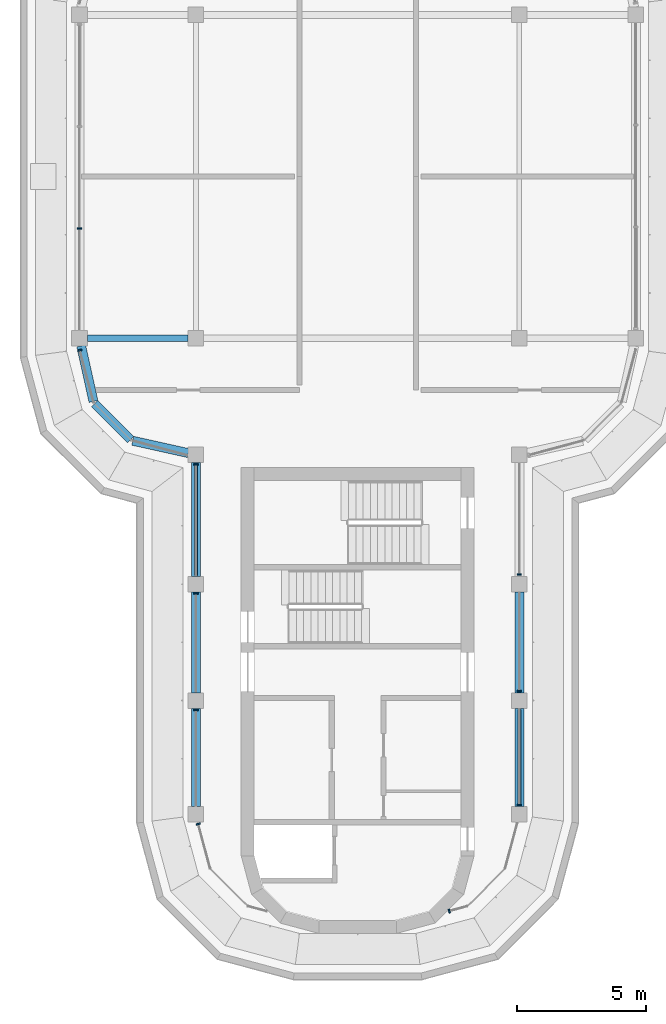
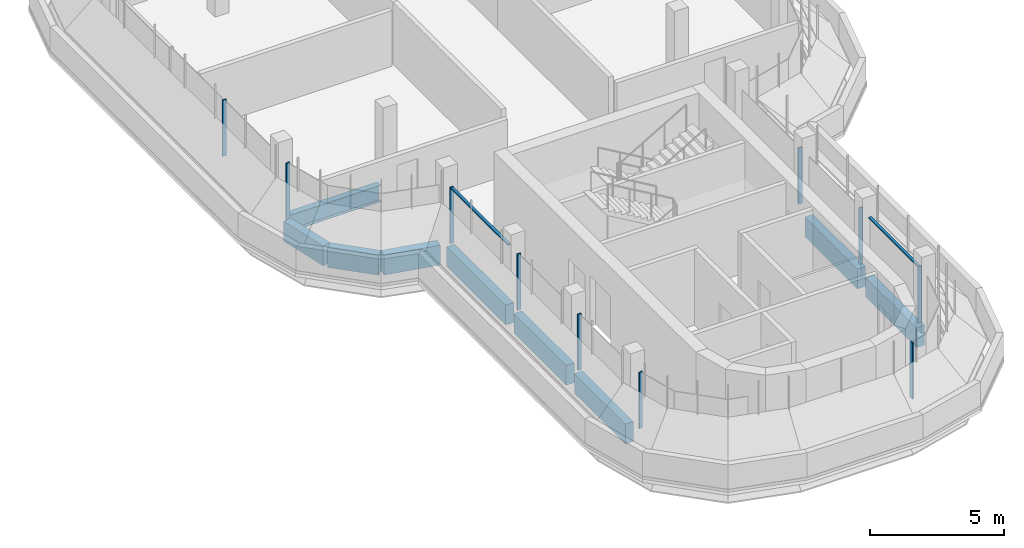
# One storey, part 2 of 13: 12 members, 9 beams, 6 elements without a shape of their own.
"""IFC4 building model written with IfcOpenShell, lengths in metres."""

import ifcopenshell
import ifcopenshell.guid

model = None  # the IFC model being written
_history = None  # IfcOwnerHistory: only IFC2X3 demands one
_inside = {}  # id of a spatial element -> (the spatial element, [elements in it])
_under = {}  # id of a project, library or spatial element -> (it, [spatial elements below it])
_declared = {}  # id of a project -> (the project, [libraries it declares])
_typed = {}  # id of a type object -> (the type object, [elements of that type])
_made_of = {}  # id of a material, layer set ... -> (it, [elements and type objects made of it])


def new_model(schema):
    """Start an empty IFC model of exactly this schema.

    Asked for "IFC4X3", IfcOpenShell would pick the latest addendum, in which some entities
    have other attributes; the version numbers below select the first issue.
    IFC2X3 requires an IfcOwnerHistory on every rooted entity: one is made here for all.
    """
    global model, _history
    if schema == "IFC4X3":
        model = ifcopenshell.file(schema_version=(4, 3, 0, 0))
    else:
        model = ifcopenshell.file(schema=schema)
    _inside.clear()
    _under.clear()
    _declared.clear()
    _typed.clear()
    _made_of.clear()
    _history = None
    if model.schema == "IFC2X3":
        org = make("IfcOrganization", Name="unknown")
        user = make(
            "IfcPersonAndOrganization",
            ThePerson=make("IfcPerson", FamilyName="unknown"),
            TheOrganization=org,
        )
        app = make(
            "IfcApplication",
            ApplicationDeveloper=org,
            Version="unknown",
            ApplicationFullName="unknown",
            ApplicationIdentifier="unknown",
        )
        _history = make(
            "IfcOwnerHistory",
            OwningUser=user,
            OwningApplication=app,
            ChangeAction="ADDED",
            CreationDate=0,
        )
    return model


def make(cls, **values):
    """One entity of the class cls with the attributes given. An attribute that is None is left unset."""
    return model.create_entity(
        cls, **{name: value for name, value in values.items() if value is not None}
    )


def rooted(cls, **values):
    """An entity with a GlobalId (a new one), such as an element, a storey or a relation."""
    return make(cls, GlobalId=ifcopenshell.guid.new(), OwnerHistory=_history, **values)


def si_unit(unit_type, name, prefix=None):
    """IfcSIUnit, for example si_unit("LENGTHUNIT", "METRE", prefix="MILLI")."""
    return make("IfcSIUnit", UnitType=unit_type, Prefix=prefix, Name=name)


def assignment(units):
    """IfcUnitAssignment: the units of a project."""
    return None if units is None else make("IfcUnitAssignment", Units=units)


def point(xyz):
    """IfcCartesianPoint."""
    return None if xyz is None else make("IfcCartesianPoint", Coordinates=xyz)


def direction(xyz):
    """IfcDirection."""
    return None if xyz is None else make("IfcDirection", DirectionRatios=xyz)


def frame(location, z_axis=None, x_axis=None):
    """IfcAxis2Placement3D, a coordinate frame: its origin and axes. An axis left out is left unset."""
    return make(
        "IfcAxis2Placement3D",
        Location=point(location),
        Axis=direction(z_axis),
        RefDirection=direction(x_axis),
    )


def frame_2d(location, x_axis=None):
    """IfcAxis2Placement2D, a coordinate frame in the plane: its origin and x axis."""
    return make(
        "IfcAxis2Placement2D", Location=point(location), RefDirection=direction(x_axis)
    )


def origin():
    """The frame at (0, 0, 0) with its axes left unset."""
    return frame((0.0, 0.0, 0.0))


def origin_2d():
    """The frame at (0, 0) in the plane with its x axis left unset."""
    return frame_2d((0.0, 0.0))


def place(relative_to, where):
    """IfcLocalPlacement: puts the frame where relative to a parent placement (None: the world)."""
    return make(
        "IfcLocalPlacement", PlacementRelTo=relative_to, RelativePlacement=where
    )


def context(
    kind, dimensions, precision=None, world=None, true_north=None, identifier=None
):
    """IfcGeometricRepresentationContext, for example the 3D "Model" context."""
    return make(
        "IfcGeometricRepresentationContext",
        ContextIdentifier=identifier,
        ContextType=kind,
        CoordinateSpaceDimension=dimensions,
        Precision=precision,
        WorldCoordinateSystem=world,
        TrueNorth=true_north,
    )


def subcontext(parent, identifier, kind, view, scale=None):
    """IfcGeometricRepresentationSubContext, for example "Body" below "Model"."""
    return make(
        "IfcGeometricRepresentationSubContext",
        ContextIdentifier=identifier,
        ContextType=kind,
        ParentContext=parent,
        TargetScale=scale,
        TargetView=view,
    )


def project(units=None, contexts=None):
    """IfcProject with its units and contexts."""
    return rooted(
        "IfcProject",
        Name="project",
        RepresentationContexts=contexts,
        UnitsInContext=assignment(units),
    )


def spatial(cls, under=None, at=None, **own):
    """A site, building, storey or space (cls), placed at a placement, below another one or the project."""
    s = rooted(cls, ObjectPlacement=at, **own)
    if under is not None:
        _under.setdefault(under.id(), (under, []))[1].append(s)
    return s


def polyline(points):
    """IfcPolyline through the points."""
    return make("IfcPolyline", Points=[point(p) for p in points])


def profile(cls, at=None, kind="AREA", **sizes):
    """A parametric profile (cls). Its sizes go by their IFC names, for example OverallWidth=200.0."""
    return make(cls, ProfileType=kind, Position=at, **sizes)


def rectangle(**sizes):
    """IfcRectangleProfileDef."""
    return profile("IfcRectangleProfileDef", **sizes)


def i_section(**sizes):
    """IfcIShapeProfileDef."""
    return profile("IfcIShapeProfileDef", **sizes)


def outline(outer, holes=None, kind="AREA"):
    """IfcArbitraryClosedProfileDef: a profile drawn as a closed curve; with holes, ...WithVoids."""
    if holes is None:
        return make("IfcArbitraryClosedProfileDef", ProfileType=kind, OuterCurve=outer)
    return make(
        "IfcArbitraryProfileDefWithVoids",
        ProfileType=kind,
        OuterCurve=outer,
        InnerCurves=holes,
    )


def extrude(swept, where, along, depth):
    """IfcExtrudedAreaSolid: the profile swept, set in the frame where, extruded along a direction by depth."""
    return make(
        "IfcExtrudedAreaSolid",
        SweptArea=swept,
        Position=where,
        ExtrudedDirection=direction(along),
        Depth=depth,
    )


def shape(context_of_items, identifier, shape_type, items):
    """IfcShapeRepresentation: the items that make up one representation, for example the "Body"."""
    return make(
        "IfcShapeRepresentation",
        ContextOfItems=context_of_items,
        RepresentationIdentifier=identifier,
        RepresentationType=shape_type,
        Items=items,
    )


def source(mapping_origin, context_of_items, identifier, shape_type, items):
    """IfcRepresentationMap: a shape defined once, which mapped items show again and again."""
    return make(
        "IfcRepresentationMap",
        MappingOrigin=mapping_origin,
        MappedRepresentation=shape(context_of_items, identifier, shape_type, items),
    )


def transform(
    local_origin,
    x_axis=None,
    y_axis=None,
    z_axis=None,
    scale=None,
    scale2=None,
    scale3=None,
    uniform=True,
):
    """IfcCartesianTransformationOperator3D, or its non-uniform kind. x_axis, y_axis, z_axis: its Axis1, 2, 3."""
    if uniform:
        return make(
            "IfcCartesianTransformationOperator3D",
            Axis1=direction(x_axis),
            Axis2=direction(y_axis),
            LocalOrigin=point(local_origin),
            Scale=scale,
            Axis3=direction(z_axis),
        )
    return make(
        "IfcCartesianTransformationOperator3DnonUniform",
        Axis1=direction(x_axis),
        Axis2=direction(y_axis),
        LocalOrigin=point(local_origin),
        Scale=scale,
        Axis3=direction(z_axis),
        Scale2=scale2,
        Scale3=scale3,
    )


def mapped(mapping_source, mapping_target):
    """IfcMappedItem: shows the shape of a source again, moved by a transform."""
    return make(
        "IfcMappedItem", MappingSource=mapping_source, MappingTarget=mapping_target
    )


def material(Name=None, Category=None):
    """IfcMaterial."""
    return make("IfcMaterial", Name=Name, Category=Category)


def material_profile(
    of_material, cross_section, Name=None, Category=None, Priority=None
):
    """IfcMaterialProfile: a cross section and its material."""
    return make(
        "IfcMaterialProfile",
        Name=Name,
        Material=of_material,
        Profile=cross_section,
        Priority=Priority,
        Category=Category,
    )


def profile_set(profiles, Name=None, composite=None):
    """IfcMaterialProfileSet."""
    return make(
        "IfcMaterialProfileSet",
        Name=Name,
        MaterialProfiles=profiles,
        CompositeProfile=composite,
    )


def made_of(thing, what):
    """Note that an element or type object is made of a material, layer set ...; save() writes the relation."""
    if what is not None:
        _made_of.setdefault(what.id(), (what, []))[1].append(thing)
    return thing


def type_object(cls, material=None, **own):
    """A type object (cls), such as IfcWallType, which elements share."""
    return made_of(rooted(cls, **own), material)


def element(
    cls,
    number,
    at=None,
    inside=None,
    cuts=None,
    type_object=None,
    material=None,
    context=None,
    identifier="Body",
    shape_type=None,
    held_by="IfcProductDefinitionShape",
    body=None,
    shapes=None,
    **own,
):
    """One element of the class cls, such as IfcWall. Its Tag is "e" and its number.

    at: its placement. inside: the storey or other place that contains it. cuts: it is an
    opening in that element (IfcRelVoidsElement). A single representation is given by context,
    identifier, shape_type and body (its items); several are given by shapes. held_by: the class
    of the entity that holds the representations. save() writes the other relations.
    """
    e = rooted(cls, Tag="e%d" % number, ObjectPlacement=at, **own)
    if body is not None:
        shapes = [shape(context, identifier, shape_type, body)]
    if shapes is not None:
        e.Representation = make(held_by, Representations=shapes)
    if inside is not None:
        _inside.setdefault(inside.id(), (inside, []))[1].append(e)
    if cuts is not None:
        rooted(
            "IfcRelVoidsElement", RelatingBuildingElement=cuts, RelatedOpeningElement=e
        )
    if type_object is not None:
        _typed.setdefault(type_object.id(), (type_object, []))[1].append(e)
    return made_of(e, material)


def aggregate(whole, parts):
    """IfcRelAggregates: a whole, such as a stair, and the parts it consists of."""
    return rooted("IfcRelAggregates", RelatingObject=whole, RelatedObjects=parts)


def save(model, path):
    """Write the relations noted so far, then the file.

    IfcRelAggregates (storeys below a building ...), IfcRelContainedInSpatialStructure (elements
    in a storey), IfcRelDefinesByType, IfcRelAssociatesMaterial and IfcRelDeclares: one each for
    every whole, place, type object, material and project.
    """
    for whole, parts in _under.values():
        aggregate(whole, parts)
    for where, things in _inside.values():
        rooted(
            "IfcRelContainedInSpatialStructure",
            RelatedElements=things,
            RelatingStructure=where,
        )
    for kind, things in _typed.values():
        rooted("IfcRelDefinesByType", RelatedObjects=things, RelatingType=kind)
    for what, things in _made_of.values():
        rooted("IfcRelAssociatesMaterial", RelatedObjects=things, RelatingMaterial=what)
    for by, libraries in _declared.values():
        rooted("IfcRelDeclares", RelatingContext=by, RelatedDefinitions=libraries)
    model.write(path)


model = new_model("IFC4")

# Units and contexts
model_context = context("Model", 3, precision=1e-05, world=origin(), true_north=direction((0.0, 1.0)))
body_context = subcontext(model_context, "Body", "Model", "MODEL_VIEW")
ifc_project = project(units=[si_unit("LENGTHUNIT", "METRE"), si_unit("AREAUNIT", "SQUARE_METRE"), si_unit("VOLUMEUNIT", "CUBIC_METRE"), si_unit("PLANEANGLEUNIT", "RADIAN"), si_unit("MASSUNIT", "GRAM", prefix="KILO")], contexts=[model_context])

# Site, building, storey
site_placement = place(None, origin())
site = spatial("IfcSite", under=ifc_project, at=site_placement, CompositionType="ELEMENT")
building_placement = place(site_placement, origin())
building = spatial("IfcBuilding", under=site, at=building_placement, Name="Zarbagh Exchange Tower", CompositionType="ELEMENT")
storey_placement = place(building_placement, frame((0.0, 0.0, 302.39990234375)))
storey = spatial("IfcBuildingStorey", under=building, at=storey_placement, Name="L74", CompositionType="ELEMENT", Elevation=302.39990234375)

# Beams
ifc_material_1 = material(Name="Steel ASTM A992 Gr 50", Category="steel")
ifc_material_profile_1 = material_profile(ifc_material_1, i_section(OverallWidth=0.26416015625, OverallDepth=0.749267578125, WebThickness=0.011962890625, FlangeThickness=0.015380859375, at=origin_2d()), Name="W30X90")
ifc_profile_set_1 = profile_set([ifc_material_profile_1], Name="Steel ASTM A992 Gr 50")
beam_type_1 = type_object("IfcBeamType", Name="Floor girder W30X90", PredefinedType="BEAM", material=ifc_profile_set_1)
beam_1_placement = place(storey_placement, frame((-10.449951171875, -6.25, -0.5244140625), z_axis=(1.0, 0.0, 0.0), x_axis=(0.0, 1.0, 0.0)))
element("IfcBeam", 1, at=beam_1_placement, inside=storey, type_object=beam_type_1, Name="Steel girder", PredefinedType="BEAM", context=body_context, shape_type="SweptSolid", body=[
    extrude(i_section(OverallWidth=0.26416015625, OverallDepth=0.749267578125, WebThickness=0.011962890625, FlangeThickness=0.015380859375, at=origin_2d()), origin(), (0.0, 0.0, 1.0), 3.89990234375),
])
ifc_material_2 = material(Name="Concrete C40/50", Category="concrete")
ifc_material_profile_2 = material_profile(ifc_material_2, rectangle(XDim=0.35009765625, YDim=0.89990234375, at=origin_2d()), Name="RC spandrel beam 350 x 900 C40/50")
ifc_profile_set_2 = profile_set([ifc_material_profile_2], Name="Concrete C40/50")
beam_type_2 = type_object("IfcBeamType", Name="RC spandrel beam 350 x 900 C40/50", PredefinedType="SPANDREL", material=ifc_profile_set_2)
beam_2_placement = place(storey_placement, frame((-6.25, -24.35009765625, -0.599853515625), z_axis=(0.0, 1.0, 0.0), x_axis=(-1.0, 0.0, 0.0)))
element("IfcBeam", 2, at=beam_2_placement, inside=storey, type_object=beam_type_2, Name="RC spandrel beam", PredefinedType="SPANDREL", context=body_context, shape_type="SweptSolid", body=[
    extrude(rectangle(XDim=0.35009765625, YDim=0.89990234375, at=origin_2d()), origin(), (0.0, 0.0, 1.0), 3.800048828125),
])
beam_3_placement = place(storey_placement, frame((-6.25, -19.949951171875, -0.599853515625), z_axis=(0.0, 1.0, 0.0), x_axis=(-1.0, 0.0, 0.0)))
element("IfcBeam", 3, at=beam_3_placement, inside=storey, type_object=beam_type_2, Name="RC spandrel beam", PredefinedType="SPANDREL", context=body_context, shape_type="SweptSolid", body=[
    extrude(rectangle(XDim=0.35009765625, YDim=0.89990234375, at=origin_2d()), origin(), (0.0, 0.0, 1.0), 3.89990234375),
])
beam_4_placement = place(storey_placement, frame((-6.25, -15.449951171875, -0.599853515625), z_axis=(0.0, 1.0, 0.0), x_axis=(-1.0, 0.0, 0.0)))
element("IfcBeam", 4, at=beam_4_placement, inside=storey, type_object=beam_type_2, Name="RC spandrel beam", PredefinedType="SPANDREL", context=body_context, shape_type="SweptSolid", body=[
    extrude(rectangle(XDim=0.35009765625, YDim=0.89990234375, at=origin_2d()), origin(), (0.0, 0.0, 1.0), 4.39990234375),
])
beam_5_placement = place(storey_placement, frame((-6.54296875, -10.685302734375, -0.599853515625), z_axis=(-0.976387662047, 0.216025770228, 0.0), x_axis=(-0.216025770228, -0.976387662047, 0.0)))
element("IfcBeam", 5, at=beam_5_placement, inside=storey, type_object=beam_type_2, Name="RC spandrel beam", PredefinedType="SPANDREL", context=body_context, shape_type="SweptSolid", body=[
    extrude(rectangle(XDim=0.35009765625, YDim=0.89990234375, at=origin_2d()), origin(), (0.0, 0.0, 1.0), 2.200439453125),
])
beam_6_placement = place(storey_placement, frame((-8.77734375, -10.16259765625, -0.599853515625), z_axis=(-0.707106781187, 0.707106781187, 0.0), x_axis=(-0.707106781187, -0.707106781187, 0.0)))
element("IfcBeam", 6, at=beam_6_placement, inside=storey, type_object=beam_type_2, Name="RC spandrel beam", PredefinedType="SPANDREL", context=body_context, shape_type="SweptSolid", body=[
    extrude(rectangle(XDim=0.35009765625, YDim=0.89990234375, at=origin_2d()), origin(), (0.0, 0.0, 1.0), 1.958984375),
])
beam_7_placement = place(storey_placement, frame((-10.2099609375, -8.69140625, -0.599853515625), z_axis=(-0.216025770228, 0.976387662047, 0.0), x_axis=(-0.976387662047, -0.216025770228, 0.0)))
element("IfcBeam", 7, at=beam_7_placement, inside=storey, type_object=beam_type_2, Name="RC spandrel beam", PredefinedType="SPANDREL", context=body_context, shape_type="SweptSolid", body=[
    extrude(rectangle(XDim=0.35009765625, YDim=0.89990234375, at=origin_2d()), origin(), (0.0, 0.0, 1.0), 2.200439453125),
])
beam_8_placement = place(storey_placement, frame((6.25, -16.050048828125, -0.599853515625), z_axis=(0.0, -1.0, 0.0), x_axis=(1.0, 0.0, 0.0)))
element("IfcBeam", 8, at=beam_8_placement, inside=storey, type_object=beam_type_2, Name="RC spandrel beam", PredefinedType="SPANDREL", context=body_context, shape_type="SweptSolid", body=[
    extrude(rectangle(XDim=0.35009765625, YDim=0.89990234375, at=origin_2d()), origin(), (0.0, 0.0, 1.0), 3.89990234375),
])
beam_9_placement = place(storey_placement, frame((6.25, -20.550048828125, -0.599853515625), z_axis=(0.0, -1.0, 0.0), x_axis=(1.0, 0.0, 0.0)))
element("IfcBeam", 9, at=beam_9_placement, inside=storey, type_object=beam_type_2, Name="RC spandrel beam", PredefinedType="SPANDREL", context=body_context, shape_type="SweptSolid", body=[
    extrude(rectangle(XDim=0.35009765625, YDim=0.89990234375, at=origin_2d()), origin(), (0.0, 0.0, 1.0), 3.800048828125),
])

# Curtain wall, member
ifc_material_3 = material(Name="Anodised aluminium frame and glazing", Category="aluminium")
curtain_wall_type = type_object("IfcCurtainWallType", Name="CWF Crown tier glazing", PredefinedType="NOTDEFINED", material=ifc_material_3)
curtain_wall_1_placement = place(storey_placement, origin())
curtain_wall_1 = element("IfcCurtainWall", 10, at=curtain_wall_1_placement, inside=storey, type_object=curtain_wall_type, Name="CWF43 curtain wall", PredefinedType="NOTDEFINED")
ifc_material_4 = material(Name="Anodised aluminium frame", Category="aluminium")
member_type_1 = type_object("IfcMemberType", Name="TRF Transom, anodised aluminium frame", PredefinedType="USERDEFINED", material=ifc_material_4)
shared_shape_1 = source(origin(), body_context, "Body", "SweptSolid", [
    extrude(outline(polyline([(-0.06005859375, -0.06005859375), (0.0, -0.06005859375), (0.0, 0.06005859375), (-0.06005859375, 0.06005859375), (-0.06005859375, -0.06005859375)])), origin(), (0.0, 0.0, 1.0), 4.260009765625),
])
placement = place(storey_placement, origin())
member_1 = element("IfcMember", 11, at=placement, type_object=member_type_1, Name="CWF43 transom 1.1", ObjectType="TRANSOM", PredefinedType="USERDEFINED", context=body_context, shape_type="MappedRepresentation", body=[
    mapped(shared_shape_1, transform((-6.25, -11.150146484375, 2.550048828125), x_axis=(0.0, 0.0, 1.0), y_axis=(-1.0, 0.0, 0.0), z_axis=(0.0, -1.0, 0.0))),
])

curtain_wall_2_placement = place(storey_placement, origin())
curtain_wall_2 = element("IfcCurtainWall", 12, at=curtain_wall_2_placement, inside=storey, type_object=curtain_wall_type, Name="CWF04 curtain wall", PredefinedType="NOTDEFINED")
shared_shape_2 = source(origin(), body_context, "Body", "SweptSolid", [
    extrude(outline(polyline([(-0.06005859375, -0.06005859375), (0.0, -0.06005859375), (0.0, 0.06005859375), (-0.06005859375, 0.06005859375), (-0.06005859375, -0.06005859375)])), origin(), (0.0, 0.0, 1.0), 3.659912109375),
])
member_2 = element("IfcMember", 13, at=placement, type_object=member_type_1, Name="CWF04 transom 1.1", ObjectType="TRANSOM", PredefinedType="USERDEFINED", context=body_context, shape_type="MappedRepresentation", body=[
    mapped(shared_shape_2, transform((6.25, -24.25, 2.550048828125), x_axis=(0.0, 0.0, 1.0), y_axis=(1.0, 0.0, 0.0), z_axis=(0.0, 1.0, 0.0))),
])

curtain_wall_3_placement = place(storey_placement, origin())
curtain_wall_3 = element("IfcCurtainWall", 14, at=curtain_wall_3_placement, inside=storey, type_object=curtain_wall_type, Name="CWF01 curtain wall", PredefinedType="NOTDEFINED")
member_type_2 = type_object("IfcMemberType", Name="MUF Mullion, anodised aluminium frame", PredefinedType="MULLION", material=ifc_material_4)
shared_shape_3 = source(origin(), body_context, "Body", "SweptSolid", [
    extrude(outline(polyline([(0.0, -0.080078125), (0.06005859375, -0.080078125), (0.06005859375, 0.080078125), (0.0, 0.080078125), (0.0, -0.080078125)])), origin(), (0.0, 0.0, 1.0), 2.550048828125),
])
member_3 = element("IfcMember", 15, at=placement, type_object=member_type_2, Name="CWF01 mullion 1.1", PredefinedType="MULLION", context=body_context, shape_type="MappedRepresentation", body=[
    mapped(shared_shape_3, transform((3.510009765625, -28.394775390625, 0.0), x_axis=(0.965924289636, 0.258824779902, 0.0), y_axis=(-0.258824779902, 0.965924289636, 0.0), z_axis=(0.0, 0.0, 1.0))),
])
aggregate(curtain_wall_3, [member_3])

# Member
member_4 = element("IfcMember", 16, at=placement, type_object=member_type_2, Name="CWF04 mullion 1.1", PredefinedType="MULLION", context=body_context, shape_type="MappedRepresentation", body=[
    mapped(shared_shape_3, transform((6.25, -24.31005859375, 0.0), x_axis=(0.0, 1.0, 0.0), y_axis=(-1.0, 0.0, 0.0), z_axis=(0.0, 0.0, 1.0))),
])

member_5 = element("IfcMember", 17, at=placement, type_object=member_type_2, Name="CWF04 mullion 2.1", PredefinedType="MULLION", context=body_context, shape_type="MappedRepresentation", body=[
    mapped(shared_shape_3, transform((6.25, -19.909912109375, 0.0), x_axis=(0.0, 1.0, 0.0), y_axis=(-1.0, 0.0, 0.0), z_axis=(0.0, 0.0, 1.0))),
])

member_6 = element("IfcMember", 18, at=placement, type_object=member_type_2, Name="CWF04 mullion 3.1", PredefinedType="MULLION", context=body_context, shape_type="MappedRepresentation", body=[
    mapped(shared_shape_3, transform((6.25, -15.409912109375, 0.0), x_axis=(0.0, 1.0, 0.0), y_axis=(-1.0, 0.0, 0.0), z_axis=(0.0, 0.0, 1.0))),
])

aggregate(curtain_wall_2, [member_4, member_2, member_5, member_6])

# Curtain wall, member
curtain_wall_4_placement = place(storey_placement, origin())
curtain_wall_4 = element("IfcCurtainWall", 19, at=curtain_wall_4_placement, inside=storey, type_object=curtain_wall_type, Name="CWF48 curtain wall", PredefinedType="NOTDEFINED")
member_7 = element("IfcMember", 20, at=placement, type_object=member_type_2, Name="CWF48 mullion 1.3", PredefinedType="MULLION", context=body_context, shape_type="MappedRepresentation", body=[
    mapped(shared_shape_3, transform((-10.75, -1.969970703125, 0.0), x_axis=(0.0, -1.0, 0.0), y_axis=(1.0, 0.0, 0.0), z_axis=(0.0, 0.0, 1.0))),
])
aggregate(curtain_wall_4, [member_7])

curtain_wall_5_placement = place(storey_placement, origin())
curtain_wall_5 = element("IfcCurtainWall", 21, at=curtain_wall_5_placement, inside=storey, type_object=curtain_wall_type, Name="CWF40 curtain wall", PredefinedType="NOTDEFINED")
member_8 = element("IfcMember", 22, at=placement, type_object=member_type_2, Name="CWF40 mullion 1.1", PredefinedType="MULLION", context=body_context, shape_type="MappedRepresentation", body=[
    mapped(shared_shape_3, transform((-10.75, -6.68408203125, 0.0), x_axis=(0.258824779902, -0.965924289636, 0.0), y_axis=(0.965924289636, 0.258824779902, 0.0), z_axis=(0.0, 0.0, 1.0))),
])
aggregate(curtain_wall_5, [member_8])

# Member
member_9 = element("IfcMember", 23, at=placement, type_object=member_type_2, Name="CWF43 mullion 1.1", PredefinedType="MULLION", context=body_context, shape_type="MappedRepresentation", body=[
    mapped(shared_shape_3, transform((-6.25, -11.090087890625, 0.0), x_axis=(0.0, -1.0, 0.0), y_axis=(1.0, 0.0, 0.0), z_axis=(0.0, 0.0, 1.0))),
])

member_10 = element("IfcMember", 24, at=placement, type_object=member_type_2, Name="CWF43 mullion 2.1", PredefinedType="MULLION", context=body_context, shape_type="MappedRepresentation", body=[
    mapped(shared_shape_3, transform((-6.25, -16.090087890625, 0.0), x_axis=(0.0, -1.0, 0.0), y_axis=(1.0, 0.0, 0.0), z_axis=(0.0, 0.0, 1.0))),
])

member_11 = element("IfcMember", 25, at=placement, type_object=member_type_2, Name="CWF43 mullion 3.1", PredefinedType="MULLION", context=body_context, shape_type="MappedRepresentation", body=[
    mapped(shared_shape_3, transform((-6.25, -20.590087890625, 0.0), x_axis=(0.0, -1.0, 0.0), y_axis=(1.0, 0.0, 0.0), z_axis=(0.0, 0.0, 1.0))),
])

aggregate(curtain_wall_1, [member_9, member_1, member_10, member_11])

# Curtain wall, member
curtain_wall_6_placement = place(storey_placement, origin())
curtain_wall_6 = element("IfcCurtainWall", 26, at=curtain_wall_6_placement, inside=storey, type_object=curtain_wall_type, Name="CWF44 curtain wall", PredefinedType="NOTDEFINED")
member_12 = element("IfcMember", 27, at=placement, type_object=member_type_2, Name="CWF44 mullion 1.1", PredefinedType="MULLION", context=body_context, shape_type="MappedRepresentation", body=[
    mapped(shared_shape_3, transform((-6.16796875, -24.989990234375, 0.0), x_axis=(0.258824779902, -0.965924289636, 0.0), y_axis=(0.965924289636, 0.258824779902, 0.0), z_axis=(0.0, 0.0, 1.0))),
])
aggregate(curtain_wall_6, [member_12])

save(model, "model.ifc")
